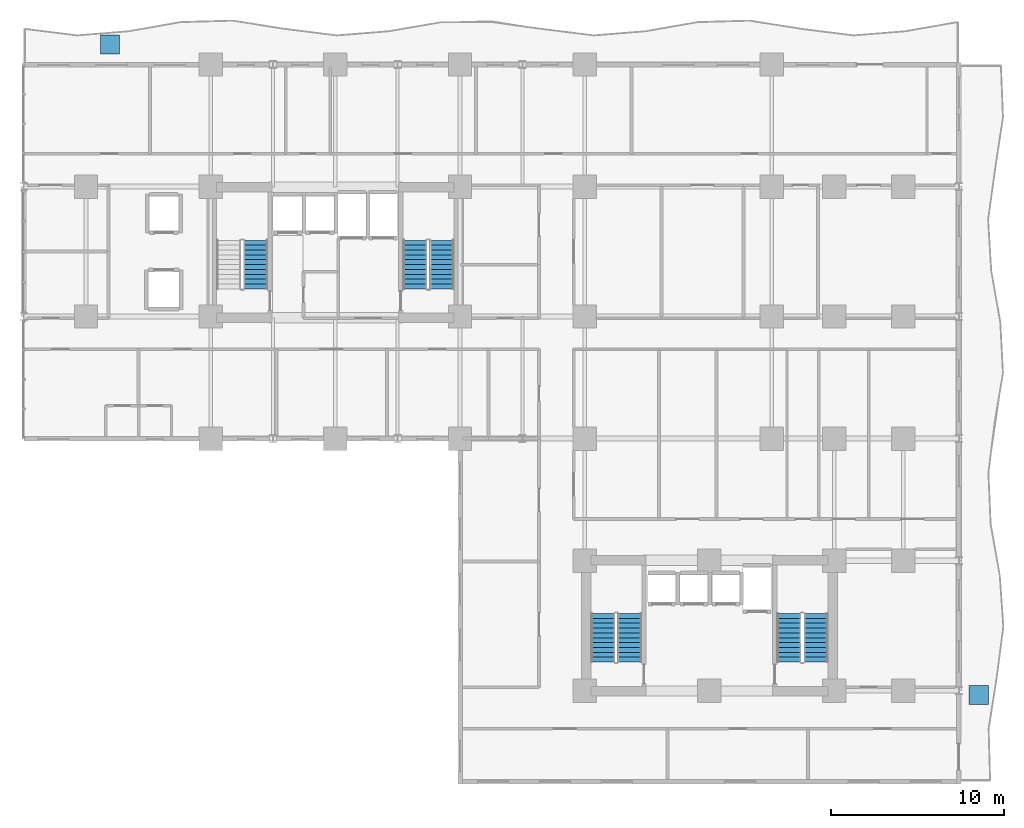
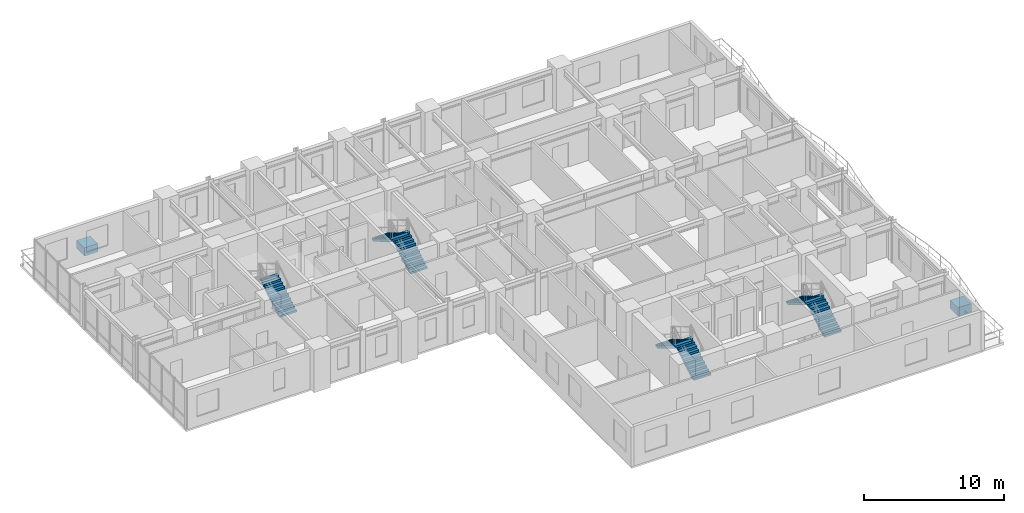
# One storey, part 16 of 19: 7 stair flights, 2 discrete accessories, 4 elements without a shape of their own.
"""IFC4 building model written with IfcOpenShell, lengths in metres."""

from ifc_helpers import new_model, si_unit, direction, frame, origin, origin_2d, place, context, subcontext, project, spatial, polyline, rectangle, outline, extrude, source, transform, mapped, material, type_object, element, aggregate, save


model = new_model("IFC4")

# Units and contexts
model_context = context("Model", 3, precision=1e-05, world=origin(), true_north=direction((0.0, 1.0)))
body_context = subcontext(model_context, "Body", "Model", "MODEL_VIEW")
ifc_project = project(units=[si_unit("LENGTHUNIT", "METRE"), si_unit("AREAUNIT", "SQUARE_METRE"), si_unit("VOLUMEUNIT", "CUBIC_METRE"), si_unit("PLANEANGLEUNIT", "RADIAN"), si_unit("MASSUNIT", "GRAM", prefix="KILO")], contexts=[model_context])

# Site, building, storey
site_placement = place(None, origin())
site = spatial("IfcSite", under=ifc_project, at=site_placement, CompositionType="ELEMENT")
building_placement = place(site_placement, origin())
building = spatial("IfcBuilding", under=site, at=building_placement, Name="Kaliganga Portal Commons", CompositionType="ELEMENT")
storey_placement = place(building_placement, frame((0.0, 0.0, 32.699951171875)))
storey = spatial("IfcBuildingStorey", under=building, at=storey_placement, Name="L07", CompositionType="ELEMENT", Elevation=32.699951171875)

# Stair, stair flight
ifc_material_1 = material(Name="Concrete C40/50", Category="concrete")
stair_type = type_object("IfcStairType", Name="ST-CORE-DOGLEG", PredefinedType="HALF_TURN_STAIR", material=ifc_material_1)
stair_1_placement = place(storey_placement, origin())
stair_1 = element("IfcStair", 1, at=stair_1_placement, inside=storey, type_object=stair_type, Name="L07 Protected Exit Stair ST-A1", PredefinedType="HALF_TURN_STAIR")
stair_flight_type = type_object("IfcStairFlightType", Name="STF-RC-1400", PredefinedType="STRAIGHT", material=ifc_material_1)
stair_flight_1_placement = place(storey_placement, frame((17.0, 30.25, 0.0), z_axis=(0.0, 0.0, 1.0), x_axis=(0.0, 1.0, 0.0)))
stair_flight_1 = element("IfcStairFlight", 2, at=stair_flight_1_placement, type_object=stair_flight_type, Name="ST-A1 flight 1", NumberOfRisers=11, NumberOfTreads=10, PredefinedType="STRAIGHT", RiserHeight=0.168181818, TreadLength=0.28, context=body_context, shape_type="SweptSolid", body=[
    extrude(outline(polyline([(0.0, 0.0), (0.0, 0.168212890625), (0.280029296875, 0.168212890625), (0.280029296875, 0.33642578125), (0.56005859375, 0.33642578125), (0.56005859375, 0.504638671875), (0.840087890625, 0.504638671875), (0.840087890625, 0.672607421875), (1.1201171875, 0.672607421875), (1.1201171875, 0.8408203125), (1.39990234375, 0.8408203125), (1.39990234375, 1.009033203125), (1.679931640625, 1.009033203125), (1.679931640625, 1.17724609375), (1.9599609375, 1.17724609375), (1.9599609375, 1.345458984375), (2.239990234375, 1.345458984375), (2.239990234375, 1.513671875), (2.52001953125, 1.513671875), (2.52001953125, 1.681884765625), (2.800048828125, 1.681884765625), (2.800048828125, 1.85009765625), (2.800048828125, 1.5068359375), (0.291015625, 0.0), (0.0, 0.0)])), frame((0.0, 0.699951171875, 0.0), z_axis=(0.0, -1.0, 0.0), x_axis=(1.0, 0.0, 0.0)), (0.0, 0.0, 1.0), 1.39990234375),
])
aggregate(stair_1, [stair_flight_1])

# Stair, stair flights
stair_2_placement = place(storey_placement, origin())
stair_2 = element("IfcStair", 3, at=stair_2_placement, inside=storey, type_object=stair_type, Name="L07 Protected Exit Stair ST-A2", PredefinedType="HALF_TURN_STAIR")
stair_flight_2_placement = place(storey_placement, frame((27.75, 30.25, 0.0), z_axis=(0.0, 0.0, 1.0), x_axis=(0.0, 1.0, 0.0)))
stair_flight_2 = element("IfcStairFlight", 4, at=stair_flight_2_placement, type_object=stair_flight_type, Name="ST-A2 flight 1", NumberOfRisers=11, NumberOfTreads=10, PredefinedType="STRAIGHT", RiserHeight=0.168181818, TreadLength=0.28, context=body_context, shape_type="SweptSolid", body=[
    extrude(outline(polyline([(0.0, 0.0), (0.0, 0.168212890625), (0.280029296875, 0.168212890625), (0.280029296875, 0.33642578125), (0.56005859375, 0.33642578125), (0.56005859375, 0.504638671875), (0.840087890625, 0.504638671875), (0.840087890625, 0.672607421875), (1.1201171875, 0.672607421875), (1.1201171875, 0.8408203125), (1.39990234375, 0.8408203125), (1.39990234375, 1.009033203125), (1.679931640625, 1.009033203125), (1.679931640625, 1.17724609375), (1.9599609375, 1.17724609375), (1.9599609375, 1.345458984375), (2.239990234375, 1.345458984375), (2.239990234375, 1.513671875), (2.52001953125, 1.513671875), (2.52001953125, 1.681884765625), (2.800048828125, 1.681884765625), (2.800048828125, 1.85009765625), (2.800048828125, 1.5068359375), (0.291015625, 0.0), (0.0, 0.0)])), frame((0.0, 0.699951171875, 0.0), z_axis=(0.0, -1.0, 0.0), x_axis=(1.0, 0.0, 0.0)), (0.0, 0.0, 1.0), 1.39990234375),
])
stair_flight_3_placement = place(storey_placement, frame((26.199951171875, 33.050048828125, 1.85009765625), z_axis=(0.0, 0.0, 1.0), x_axis=(0.0, -1.0, 0.0)))
stair_flight_3 = element("IfcStairFlight", 5, at=stair_flight_3_placement, type_object=stair_flight_type, Name="ST-A2 flight 2", NumberOfRisers=11, NumberOfTreads=10, PredefinedType="STRAIGHT", RiserHeight=0.168181818, TreadLength=0.28, context=body_context, shape_type="SweptSolid", body=[
    extrude(outline(polyline([(0.0, 0.0), (0.0, 0.168212890625), (0.280029296875, 0.168212890625), (0.280029296875, 0.33642578125), (0.56005859375, 0.33642578125), (0.56005859375, 0.504638671875), (0.840087890625, 0.504638671875), (0.840087890625, 0.672607421875), (1.1201171875, 0.672607421875), (1.1201171875, 0.8408203125), (1.39990234375, 0.8408203125), (1.39990234375, 1.009033203125), (1.679931640625, 1.009033203125), (1.679931640625, 1.17724609375), (1.9599609375, 1.17724609375), (1.9599609375, 1.345458984375), (2.239990234375, 1.345458984375), (2.239990234375, 1.513671875), (2.52001953125, 1.513671875), (2.52001953125, 1.681884765625), (2.800048828125, 1.681884765625), (2.800048828125, 1.85009765625), (2.800048828125, 1.5068359375), (0.291015625, 0.0), (0.0, 0.0)])), frame((0.0, 0.699951171875, 0.0), z_axis=(0.0, -1.0, 0.0), x_axis=(1.0, 0.0, 0.0)), (0.0, 0.0, 1.0), 1.39990234375),
])
aggregate(stair_2, [stair_flight_2, stair_flight_3])

stair_3_placement = place(storey_placement, origin())
stair_3 = element("IfcStair", 6, at=stair_3_placement, inside=storey, type_object=stair_type, Name="L07 Protected Exit Stair ST-B1", PredefinedType="HALF_TURN_STAIR")
stair_flight_4_placement = place(storey_placement, frame((38.60009765625, 8.699951171875, 0.0), z_axis=(0.0, 0.0, 1.0), x_axis=(0.0, 1.0, 0.0)))
stair_flight_4 = element("IfcStairFlight", 7, at=stair_flight_4_placement, type_object=stair_flight_type, Name="ST-B1 flight 1", NumberOfRisers=11, NumberOfTreads=10, PredefinedType="STRAIGHT", RiserHeight=0.168181818, TreadLength=0.28, context=body_context, shape_type="SweptSolid", body=[
    extrude(outline(polyline([(0.0, 0.0), (0.0, 0.168212890625), (0.280029296875, 0.168212890625), (0.280029296875, 0.33642578125), (0.56005859375, 0.33642578125), (0.56005859375, 0.504638671875), (0.840087890625, 0.504638671875), (0.840087890625, 0.672607421875), (1.1201171875, 0.672607421875), (1.1201171875, 0.8408203125), (1.39990234375, 0.8408203125), (1.39990234375, 1.009033203125), (1.679931640625, 1.009033203125), (1.679931640625, 1.17724609375), (1.9599609375, 1.17724609375), (1.9599609375, 1.345458984375), (2.239990234375, 1.345458984375), (2.239990234375, 1.513671875), (2.52001953125, 1.513671875), (2.52001953125, 1.681884765625), (2.800048828125, 1.681884765625), (2.800048828125, 1.85009765625), (2.800048828125, 1.5068359375), (0.291015625, 0.0), (0.0, 0.0)])), frame((0.0, 0.699951171875, 0.0), z_axis=(0.0, -1.0, 0.0), x_axis=(1.0, 0.0, 0.0)), (0.0, 0.0, 1.0), 1.39990234375),
])
stair_flight_5_placement = place(storey_placement, frame((37.050048828125, 11.5, 1.85009765625), z_axis=(0.0, 0.0, 1.0), x_axis=(0.0, -1.0, 0.0)))
stair_flight_5 = element("IfcStairFlight", 8, at=stair_flight_5_placement, type_object=stair_flight_type, Name="ST-B1 flight 2", NumberOfRisers=11, NumberOfTreads=10, PredefinedType="STRAIGHT", RiserHeight=0.168181818, TreadLength=0.28, context=body_context, shape_type="SweptSolid", body=[
    extrude(outline(polyline([(0.0, 0.0), (0.0, 0.168212890625), (0.280029296875, 0.168212890625), (0.280029296875, 0.33642578125), (0.56005859375, 0.33642578125), (0.56005859375, 0.504638671875), (0.840087890625, 0.504638671875), (0.840087890625, 0.672607421875), (1.1201171875, 0.672607421875), (1.1201171875, 0.8408203125), (1.39990234375, 0.8408203125), (1.39990234375, 1.009033203125), (1.679931640625, 1.009033203125), (1.679931640625, 1.17724609375), (1.9599609375, 1.17724609375), (1.9599609375, 1.345458984375), (2.239990234375, 1.345458984375), (2.239990234375, 1.513671875), (2.52001953125, 1.513671875), (2.52001953125, 1.681884765625), (2.800048828125, 1.681884765625), (2.800048828125, 1.85009765625), (2.800048828125, 1.5068359375), (0.291015625, 0.0), (0.0, 0.0)])), frame((0.0, 0.699951171875, 0.0), z_axis=(0.0, -1.0, 0.0), x_axis=(1.0, 0.0, 0.0)), (0.0, 0.0, 1.0), 1.39990234375),
])
aggregate(stair_3, [stair_flight_4, stair_flight_5])

stair_4_placement = place(storey_placement, origin())
stair_4 = element("IfcStair", 9, at=stair_4_placement, inside=storey, type_object=stair_type, Name="L07 Protected Exit Stair ST-B2", PredefinedType="HALF_TURN_STAIR")
stair_flight_6_placement = place(storey_placement, frame((49.35009765625, 8.699951171875, 0.0), z_axis=(0.0, 0.0, 1.0), x_axis=(0.0, 1.0, 0.0)))
stair_flight_6 = element("IfcStairFlight", 10, at=stair_flight_6_placement, type_object=stair_flight_type, Name="ST-B2 flight 1", NumberOfRisers=11, NumberOfTreads=10, PredefinedType="STRAIGHT", RiserHeight=0.168181818, TreadLength=0.28, context=body_context, shape_type="SweptSolid", body=[
    extrude(outline(polyline([(0.0, 0.0), (0.0, 0.168212890625), (0.280029296875, 0.168212890625), (0.280029296875, 0.33642578125), (0.56005859375, 0.33642578125), (0.56005859375, 0.504638671875), (0.840087890625, 0.504638671875), (0.840087890625, 0.672607421875), (1.1201171875, 0.672607421875), (1.1201171875, 0.8408203125), (1.39990234375, 0.8408203125), (1.39990234375, 1.009033203125), (1.679931640625, 1.009033203125), (1.679931640625, 1.17724609375), (1.9599609375, 1.17724609375), (1.9599609375, 1.345458984375), (2.239990234375, 1.345458984375), (2.239990234375, 1.513671875), (2.52001953125, 1.513671875), (2.52001953125, 1.681884765625), (2.800048828125, 1.681884765625), (2.800048828125, 1.85009765625), (2.800048828125, 1.5068359375), (0.291015625, 0.0), (0.0, 0.0)])), frame((0.0, 0.699951171875, 0.0), z_axis=(0.0, -1.0, 0.0), x_axis=(1.0, 0.0, 0.0)), (0.0, 0.0, 1.0), 1.39990234375),
])
stair_flight_7_placement = place(storey_placement, frame((47.800048828125, 11.5, 1.85009765625), z_axis=(0.0, 0.0, 1.0), x_axis=(0.0, -1.0, 0.0)))
stair_flight_7 = element("IfcStairFlight", 11, at=stair_flight_7_placement, type_object=stair_flight_type, Name="ST-B2 flight 2", NumberOfRisers=11, NumberOfTreads=10, PredefinedType="STRAIGHT", RiserHeight=0.168181818, TreadLength=0.28, context=body_context, shape_type="SweptSolid", body=[
    extrude(outline(polyline([(0.0, 0.0), (0.0, 0.168212890625), (0.280029296875, 0.168212890625), (0.280029296875, 0.33642578125), (0.56005859375, 0.33642578125), (0.56005859375, 0.504638671875), (0.840087890625, 0.504638671875), (0.840087890625, 0.672607421875), (1.1201171875, 0.672607421875), (1.1201171875, 0.8408203125), (1.39990234375, 0.8408203125), (1.39990234375, 1.009033203125), (1.679931640625, 1.009033203125), (1.679931640625, 1.17724609375), (1.9599609375, 1.17724609375), (1.9599609375, 1.345458984375), (2.239990234375, 1.345458984375), (2.239990234375, 1.513671875), (2.52001953125, 1.513671875), (2.52001953125, 1.681884765625), (2.800048828125, 1.681884765625), (2.800048828125, 1.85009765625), (2.800048828125, 1.5068359375), (0.291015625, 0.0), (0.0, 0.0)])), frame((0.0, 0.699951171875, 0.0), z_axis=(0.0, -1.0, 0.0), x_axis=(1.0, 0.0, 0.0)), (0.0, 0.0, 1.0), 1.39990234375),
])
aggregate(stair_4, [stair_flight_6, stair_flight_7])

# Discrete accessories
ifc_material_2 = material(Name="Precast concrete C40/50", Category="concrete")
discrete_accessory_type = type_object("IfcDiscreteAccessoryType", Name="DAC-PLANTER-RC", PredefinedType="USERDEFINED", material=ifc_material_2)
shared_shape = source(origin(), body_context, "Body", "SweptSolid", [
    extrude(rectangle(XDim=1.10009765625, YDim=1.10009765625, at=origin_2d()), origin(), (0.0, 0.0, 1.0), 0.719970703125),
])
for number, where, z_axis, x_axis, name in (
    (12, (8.60009765625, 44.35009765625, 0.0), (0.0, 0.0, 1.0), (1.0, 0.0, 0.0), "Structural Tree Planter L07 balc_north"),
    (13, (58.75, 6.800048828125, 0.0), (0.0, 0.0, 1.0), (1.0, 0.0, 0.0), "Structural Tree Planter L07 balc_east"),
):
    element("IfcDiscreteAccessory", number, at=place(storey_placement, frame(where, z_axis=z_axis, x_axis=x_axis)), inside=storey, type_object=discrete_accessory_type, Name=name, ObjectType="PLANTER", PredefinedType="USERDEFINED", context=body_context, shape_type="MappedRepresentation", body=[
        mapped(shared_shape, transform((0.0, 0.0, 0.0), x_axis=(1.0, 0.0, 0.0), y_axis=(0.0, 1.0, 0.0), z_axis=(0.0, 0.0, 1.0), scale=1.0)),
    ])

save(model, "model.ifc")
